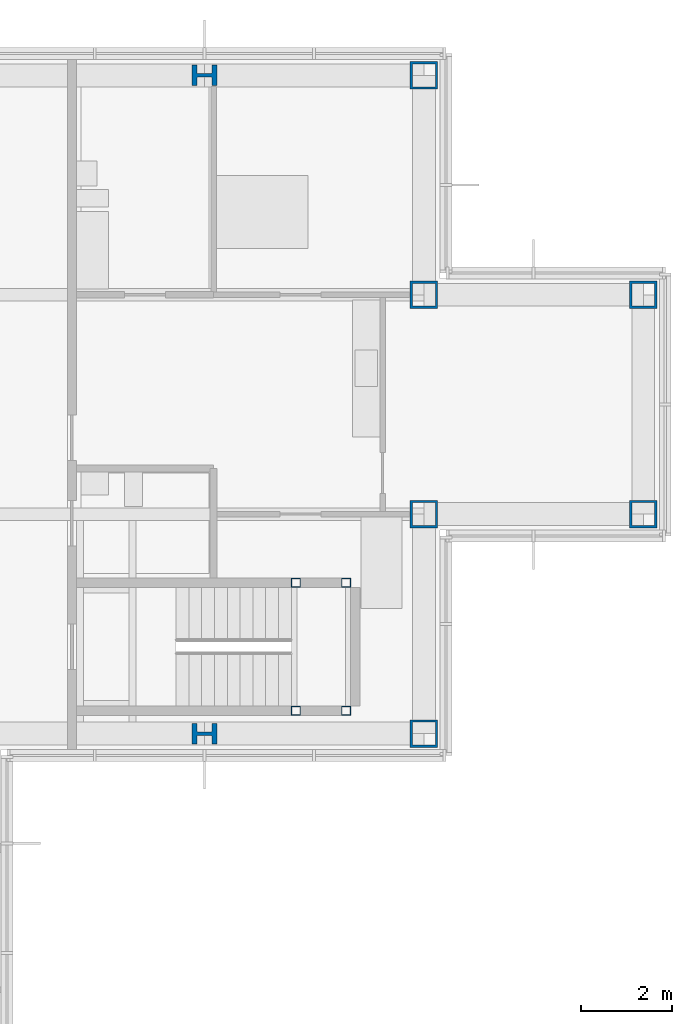
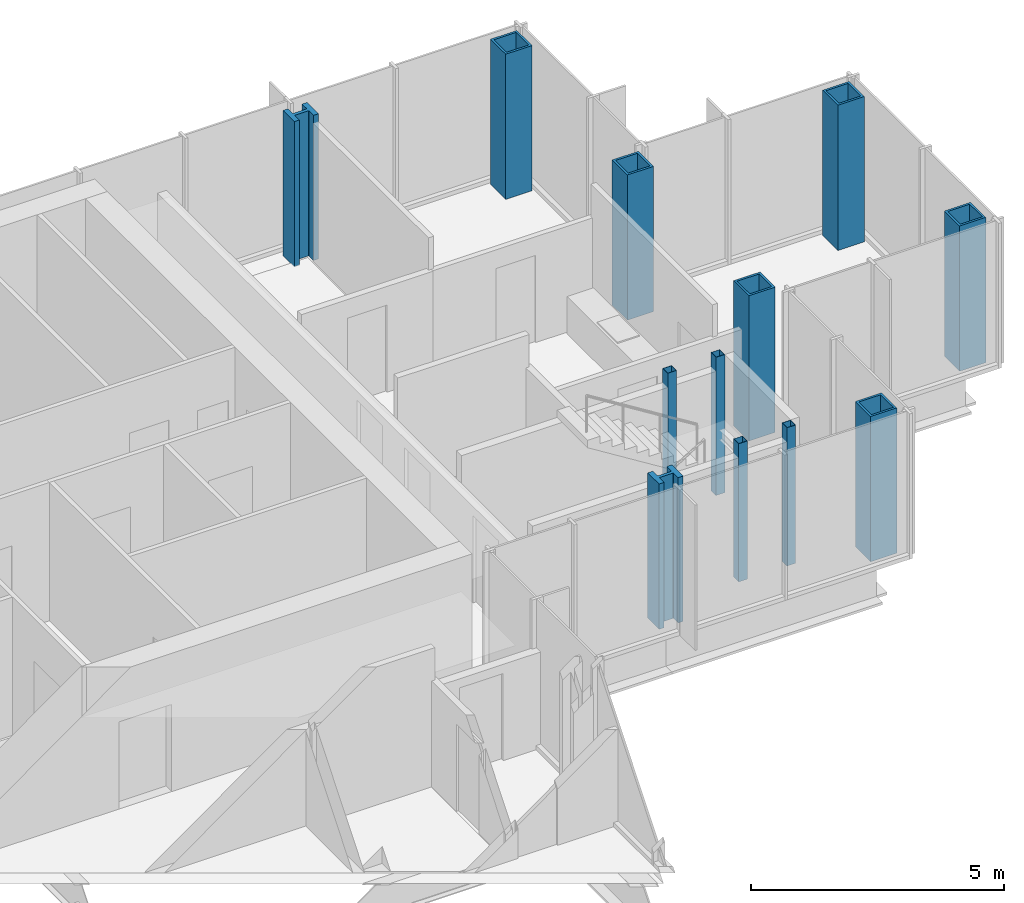
# One storey, part 4 of 15: 12 columns.
"""IFC4 building model written with IfcOpenShell, lengths in metres."""

from ifc_helpers import new_model, si_unit, direction, frame, origin, origin_2d, place, context, subcontext, project, spatial, hollow_rectangle, i_section, extrude, material, material_profile, profile_set, type_object, element, save


model = new_model("IFC4")

# Units and contexts
model_context = context("Model", 3, precision=1e-05, world=origin(), true_north=direction((0.0, 1.0)))
body_context = subcontext(model_context, "Body", "Model", "MODEL_VIEW")
ifc_project = project(units=[si_unit("LENGTHUNIT", "METRE"), si_unit("AREAUNIT", "SQUARE_METRE"), si_unit("VOLUMEUNIT", "CUBIC_METRE"), si_unit("PLANEANGLEUNIT", "RADIAN"), si_unit("MASSUNIT", "GRAM", prefix="KILO")], contexts=[model_context])

# Site, building, storey
site_placement = place(None, origin())
site = spatial("IfcSite", under=ifc_project, at=site_placement, CompositionType="ELEMENT")
building_placement = place(site_placement, origin())
building = spatial("IfcBuilding", under=site, at=building_placement, Name="Kvirike Care Tower", CompositionType="ELEMENT")
storey_placement = place(building_placement, frame((0.0, 0.0, 233.0)))
storey = spatial("IfcBuildingStorey", under=building, at=storey_placement, Name="L64", CompositionType="ELEMENT", Elevation=233.0)

# Columns
ifc_material_1 = material(Name="Steel S460", Category="steel")
ifc_material_profile_1 = material_profile(ifc_material_1, hollow_rectangle(XDim=0.60009765625, YDim=0.60009765625, WallThickness=0.050048828125, at=origin_2d()), Name="BX 600x600x50")
ifc_profile_set_1 = profile_set([ifc_material_profile_1], Name="Steel S460")
column_type_1 = type_object("IfcColumnType", Name="COLUMN BX 600x600x50", PredefinedType="COLUMN", material=ifc_profile_set_1)
for number, where, z_axis, x_axis, name in (
    (1, (38.39990234375, 28.800048828125, 0.0), (0.0, 0.0, 1.0), (0.0, 1.0, 0.0), "Column G11 L64"),
    (2, (38.39990234375, 33.60009765625, 0.0), (0.0, 0.0, 1.0), (0.0, 1.0, 0.0), "Column H11 L64"),
    (3, (38.39990234375, 38.39990234375, 0.0), (0.0, 0.0, 1.0), (0.0, 1.0, 0.0), "Column J11 L64"),
    (4, (38.39990234375, 43.199951171875, 0.0), (0.0, 0.0, 1.0), (0.0, 1.0, 0.0), "Column K11 L64"),
    (5, (43.199951171875, 33.60009765625, 0.0), (0.0, 0.0, 1.0), (0.0, 1.0, 0.0), "Column H12 L64"),
    (6, (43.199951171875, 38.39990234375, 0.0), (0.0, 0.0, 1.0), (0.0, 1.0, 0.0), "Column J12 L64"),
):
    element("IfcColumn", number, at=place(storey_placement, frame(where, z_axis=z_axis, x_axis=x_axis)), inside=storey, type_object=column_type_1, Name=name, PredefinedType="COLUMN", context=body_context, shape_type="SweptSolid", body=[
        extrude(hollow_rectangle(XDim=0.60009765625, YDim=0.60009765625, WallThickness=0.050048828125, at=origin_2d()), origin(), (0.0, 0.0, 1.0), 3.5),
    ])
ifc_material_2 = material(Name="Steel S460", Category="steel")
ifc_material_profile_2 = material_profile(ifc_material_2, i_section(OverallWidth=0.447998046875, OverallDepth=0.550048828125, WebThickness=0.072021484375, FlangeThickness=0.114990234375, FilletRadius=0.014892578125, at=origin_2d()), Name="HD 400x990")
ifc_profile_set_2 = profile_set([ifc_material_profile_2], Name="Steel S460")
column_type_2 = type_object("IfcColumnType", Name="COLUMN HD 400x990", PredefinedType="COLUMN", material=ifc_profile_set_2)
for number, where, z_axis, x_axis, name in (
    (7, (33.60009765625, 28.800048828125, 0.0), (0.0, 0.0, 1.0), (0.0, 1.0, 0.0), "Column G10 L64"),
    (8, (33.60009765625, 43.199951171875, 0.0), (0.0, 0.0, 1.0), (0.0, 1.0, 0.0), "Column K10 L64"),
):
    element("IfcColumn", number, at=place(storey_placement, frame(where, z_axis=z_axis, x_axis=x_axis)), inside=storey, type_object=column_type_2, Name=name, PredefinedType="COLUMN", context=body_context, shape_type="SweptSolid", body=[
        extrude(i_section(OverallWidth=0.447998046875, OverallDepth=0.550048828125, WebThickness=0.072021484375, FlangeThickness=0.114990234375, FilletRadius=0.014892578125, at=origin_2d()), origin(), (0.0, 0.0, 1.0), 3.5),
    ])
ifc_material_3 = material(Name="Steel S460", Category="steel")
ifc_material_profile_3 = material_profile(ifc_material_3, hollow_rectangle(XDim=0.199951171875, YDim=0.199951171875, WallThickness=0.008056640625, at=origin_2d()), Name="SHS 200x200x8")
ifc_profile_set_3 = profile_set([ifc_material_profile_3], Name="Steel S460")
column_type_3 = type_object("IfcColumnType", Name="STAIR POST SHS 200x200x8", PredefinedType="COLUMN", material=ifc_profile_set_3)
for number, where, z_axis, x_axis, name in (
    (9, (36.699951171875, 29.300048828125, 0.0), (0.0, 0.0, 1.0), (1.0, 0.0, 0.0), "Stair 2 post 1 L64"),
    (10, (36.699951171875, 32.10009765625, 0.0), (0.0, 0.0, 1.0), (1.0, 0.0, 0.0), "Stair 2 post 2 L64"),
    (11, (35.60009765625, 29.300048828125, 0.0), (0.0, 0.0, 1.0), (1.0, 0.0, 0.0), "Stair 2 post 3 L64"),
    (12, (35.60009765625, 32.10009765625, 0.0), (0.0, 0.0, 1.0), (1.0, 0.0, 0.0), "Stair 2 post 4 L64"),
):
    element("IfcColumn", number, at=place(storey_placement, frame(where, z_axis=z_axis, x_axis=x_axis)), inside=storey, type_object=column_type_3, Name=name, PredefinedType="COLUMN", context=body_context, shape_type="SweptSolid", body=[
        extrude(hollow_rectangle(XDim=0.199951171875, YDim=0.199951171875, WallThickness=0.008056640625, at=origin_2d()), origin(), (0.0, 0.0, 1.0), 3.330078125),
    ])

save(model, "model.ifc")
